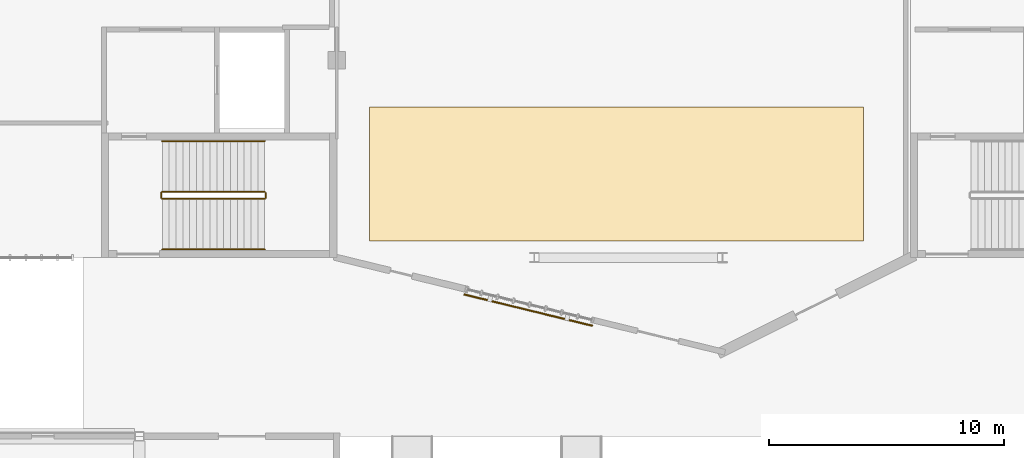
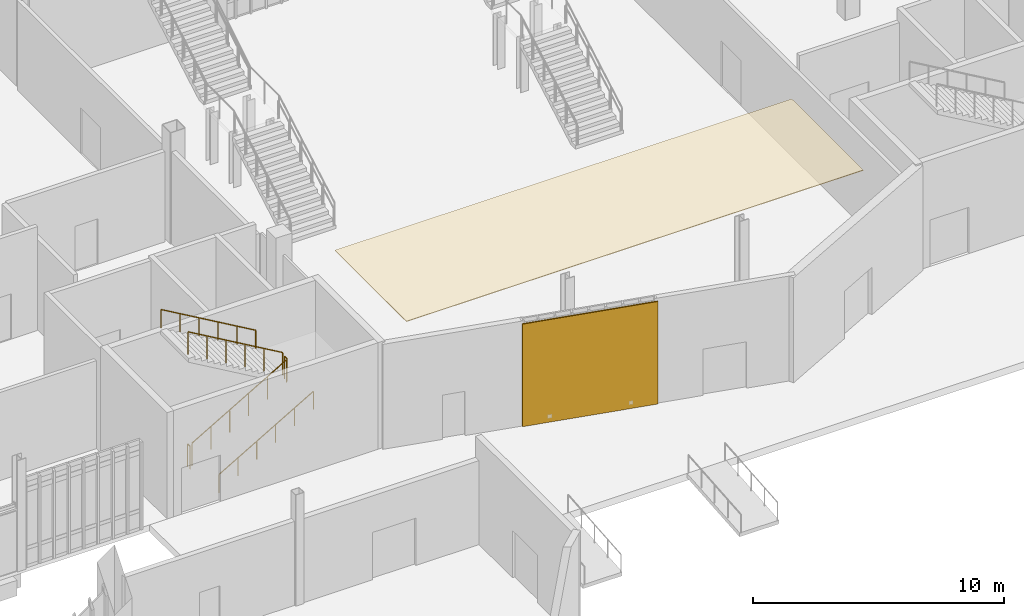
# One storey, part 101 of 111: 6 railings, 1 covering, 1 shading device.
"""IFC4 building model written with IfcOpenShell, lengths in metres."""

import ifcopenshell
import ifcopenshell.guid

model = None  # the IFC model being written
_history = None  # IfcOwnerHistory: only IFC2X3 demands one
_inside = {}  # id of a spatial element -> (the spatial element, [elements in it])
_under = {}  # id of a project, library or spatial element -> (it, [spatial elements below it])
_declared = {}  # id of a project -> (the project, [libraries it declares])
_typed = {}  # id of a type object -> (the type object, [elements of that type])
_made_of = {}  # id of a material, layer set ... -> (it, [elements and type objects made of it])


def new_model(schema):
    """Start an empty IFC model of exactly this schema.

    Asked for "IFC4X3", IfcOpenShell would pick the latest addendum, in which some entities
    have other attributes; the version numbers below select the first issue.
    IFC2X3 requires an IfcOwnerHistory on every rooted entity: one is made here for all.
    """
    global model, _history
    if schema == "IFC4X3":
        model = ifcopenshell.file(schema_version=(4, 3, 0, 0))
    else:
        model = ifcopenshell.file(schema=schema)
    _inside.clear()
    _under.clear()
    _declared.clear()
    _typed.clear()
    _made_of.clear()
    _history = None
    if model.schema == "IFC2X3":
        org = make("IfcOrganization", Name="unknown")
        user = make(
            "IfcPersonAndOrganization",
            ThePerson=make("IfcPerson", FamilyName="unknown"),
            TheOrganization=org,
        )
        app = make(
            "IfcApplication",
            ApplicationDeveloper=org,
            Version="unknown",
            ApplicationFullName="unknown",
            ApplicationIdentifier="unknown",
        )
        _history = make(
            "IfcOwnerHistory",
            OwningUser=user,
            OwningApplication=app,
            ChangeAction="ADDED",
            CreationDate=0,
        )
    return model


def make(cls, **values):
    """One entity of the class cls with the attributes given. An attribute that is None is left unset."""
    return model.create_entity(
        cls, **{name: value for name, value in values.items() if value is not None}
    )


def rooted(cls, **values):
    """An entity with a GlobalId (a new one), such as an element, a storey or a relation."""
    return make(cls, GlobalId=ifcopenshell.guid.new(), OwnerHistory=_history, **values)


def si_unit(unit_type, name, prefix=None):
    """IfcSIUnit, for example si_unit("LENGTHUNIT", "METRE", prefix="MILLI")."""
    return make("IfcSIUnit", UnitType=unit_type, Prefix=prefix, Name=name)


def assignment(units):
    """IfcUnitAssignment: the units of a project."""
    return None if units is None else make("IfcUnitAssignment", Units=units)


def point(xyz):
    """IfcCartesianPoint."""
    return None if xyz is None else make("IfcCartesianPoint", Coordinates=xyz)


def direction(xyz):
    """IfcDirection."""
    return None if xyz is None else make("IfcDirection", DirectionRatios=xyz)


def frame(location, z_axis=None, x_axis=None):
    """IfcAxis2Placement3D, a coordinate frame: its origin and axes. An axis left out is left unset."""
    return make(
        "IfcAxis2Placement3D",
        Location=point(location),
        Axis=direction(z_axis),
        RefDirection=direction(x_axis),
    )


def frame_2d(location, x_axis=None):
    """IfcAxis2Placement2D, a coordinate frame in the plane: its origin and x axis."""
    return make(
        "IfcAxis2Placement2D", Location=point(location), RefDirection=direction(x_axis)
    )


def origin():
    """The frame at (0, 0, 0) with its axes left unset."""
    return frame((0.0, 0.0, 0.0))


def origin_2d():
    """The frame at (0, 0) in the plane with its x axis left unset."""
    return frame_2d((0.0, 0.0))


def place(relative_to, where):
    """IfcLocalPlacement: puts the frame where relative to a parent placement (None: the world)."""
    return make(
        "IfcLocalPlacement", PlacementRelTo=relative_to, RelativePlacement=where
    )


def context(
    kind, dimensions, precision=None, world=None, true_north=None, identifier=None
):
    """IfcGeometricRepresentationContext, for example the 3D "Model" context."""
    return make(
        "IfcGeometricRepresentationContext",
        ContextIdentifier=identifier,
        ContextType=kind,
        CoordinateSpaceDimension=dimensions,
        Precision=precision,
        WorldCoordinateSystem=world,
        TrueNorth=true_north,
    )


def subcontext(parent, identifier, kind, view, scale=None):
    """IfcGeometricRepresentationSubContext, for example "Body" below "Model"."""
    return make(
        "IfcGeometricRepresentationSubContext",
        ContextIdentifier=identifier,
        ContextType=kind,
        ParentContext=parent,
        TargetScale=scale,
        TargetView=view,
    )


def project(units=None, contexts=None):
    """IfcProject with its units and contexts."""
    return rooted(
        "IfcProject",
        Name="project",
        RepresentationContexts=contexts,
        UnitsInContext=assignment(units),
    )


def spatial(cls, under=None, at=None, **own):
    """A site, building, storey or space (cls), placed at a placement, below another one or the project."""
    s = rooted(cls, ObjectPlacement=at, **own)
    if under is not None:
        _under.setdefault(under.id(), (under, []))[1].append(s)
    return s


def polyline(points):
    """IfcPolyline through the points."""
    return make("IfcPolyline", Points=[point(p) for p in points])


def profile(cls, at=None, kind="AREA", **sizes):
    """A parametric profile (cls). Its sizes go by their IFC names, for example OverallWidth=200.0."""
    return make(cls, ProfileType=kind, Position=at, **sizes)


def rectangle(**sizes):
    """IfcRectangleProfileDef."""
    return profile("IfcRectangleProfileDef", **sizes)


def circle(**sizes):
    """IfcCircleProfileDef."""
    return profile("IfcCircleProfileDef", **sizes)


def outline(outer, holes=None, kind="AREA"):
    """IfcArbitraryClosedProfileDef: a profile drawn as a closed curve; with holes, ...WithVoids."""
    if holes is None:
        return make("IfcArbitraryClosedProfileDef", ProfileType=kind, OuterCurve=outer)
    return make(
        "IfcArbitraryProfileDefWithVoids",
        ProfileType=kind,
        OuterCurve=outer,
        InnerCurves=holes,
    )


def extrude(swept, where, along, depth):
    """IfcExtrudedAreaSolid: the profile swept, set in the frame where, extruded along a direction by depth."""
    return make(
        "IfcExtrudedAreaSolid",
        SweptArea=swept,
        Position=where,
        ExtrudedDirection=direction(along),
        Depth=depth,
    )


def shape(context_of_items, identifier, shape_type, items):
    """IfcShapeRepresentation: the items that make up one representation, for example the "Body"."""
    return make(
        "IfcShapeRepresentation",
        ContextOfItems=context_of_items,
        RepresentationIdentifier=identifier,
        RepresentationType=shape_type,
        Items=items,
    )


def material(Name=None, Category=None):
    """IfcMaterial."""
    return make("IfcMaterial", Name=Name, Category=Category)


def layer(
    of_material, thickness, ventilated=None, Name=None, Category=None, Priority=None
):
    """IfcMaterialLayer: one layer of a wall or slab, of a material (None: an air gap)."""
    return make(
        "IfcMaterialLayer",
        Material=of_material,
        LayerThickness=thickness,
        IsVentilated=ventilated,
        Name=Name,
        Category=Category,
        Priority=Priority,
    )


def layer_set(layers, Name=None):
    """IfcMaterialLayerSet."""
    return make("IfcMaterialLayerSet", MaterialLayers=layers, LayerSetName=Name)


def made_of(thing, what):
    """Note that an element or type object is made of a material, layer set ...; save() writes the relation."""
    if what is not None:
        _made_of.setdefault(what.id(), (what, []))[1].append(thing)
    return thing


def type_object(cls, material=None, **own):
    """A type object (cls), such as IfcWallType, which elements share."""
    return made_of(rooted(cls, **own), material)


def element(
    cls,
    number,
    at=None,
    inside=None,
    cuts=None,
    type_object=None,
    material=None,
    context=None,
    identifier="Body",
    shape_type=None,
    held_by="IfcProductDefinitionShape",
    body=None,
    shapes=None,
    **own,
):
    """One element of the class cls, such as IfcWall. Its Tag is "e" and its number.

    at: its placement. inside: the storey or other place that contains it. cuts: it is an
    opening in that element (IfcRelVoidsElement). A single representation is given by context,
    identifier, shape_type and body (its items); several are given by shapes. held_by: the class
    of the entity that holds the representations. save() writes the other relations.
    """
    e = rooted(cls, Tag="e%d" % number, ObjectPlacement=at, **own)
    if body is not None:
        shapes = [shape(context, identifier, shape_type, body)]
    if shapes is not None:
        e.Representation = make(held_by, Representations=shapes)
    if inside is not None:
        _inside.setdefault(inside.id(), (inside, []))[1].append(e)
    if cuts is not None:
        rooted(
            "IfcRelVoidsElement", RelatingBuildingElement=cuts, RelatedOpeningElement=e
        )
    if type_object is not None:
        _typed.setdefault(type_object.id(), (type_object, []))[1].append(e)
    return made_of(e, material)


def aggregate(whole, parts):
    """IfcRelAggregates: a whole, such as a stair, and the parts it consists of."""
    return rooted("IfcRelAggregates", RelatingObject=whole, RelatedObjects=parts)


def save(model, path):
    """Write the relations noted so far, then the file.

    IfcRelAggregates (storeys below a building ...), IfcRelContainedInSpatialStructure (elements
    in a storey), IfcRelDefinesByType, IfcRelAssociatesMaterial and IfcRelDeclares: one each for
    every whole, place, type object, material and project.
    """
    for whole, parts in _under.values():
        aggregate(whole, parts)
    for where, things in _inside.values():
        rooted(
            "IfcRelContainedInSpatialStructure",
            RelatedElements=things,
            RelatingStructure=where,
        )
    for kind, things in _typed.values():
        rooted("IfcRelDefinesByType", RelatedObjects=things, RelatingType=kind)
    for what, things in _made_of.values():
        rooted("IfcRelAssociatesMaterial", RelatedObjects=things, RelatingMaterial=what)
    for by, libraries in _declared.values():
        rooted("IfcRelDeclares", RelatingContext=by, RelatedDefinitions=libraries)
    model.write(path)


model = new_model("IFC4")

# Units and contexts
model_context = context("Model", 3, precision=1e-05, world=origin(), true_north=direction((0.0, 1.0)))
body_context = subcontext(model_context, "Body", "Model", "MODEL_VIEW")
ifc_project = project(units=[si_unit("LENGTHUNIT", "METRE"), si_unit("AREAUNIT", "SQUARE_METRE"), si_unit("VOLUMEUNIT", "CUBIC_METRE"), si_unit("PLANEANGLEUNIT", "RADIAN"), si_unit("MASSUNIT", "GRAM", prefix="KILO")], contexts=[model_context])

# Site, building, storey
site_placement = place(None, origin())
site = spatial("IfcSite", under=ifc_project, at=site_placement, CompositionType="ELEMENT")
building_placement = place(site_placement, origin())
building = spatial("IfcBuilding", under=site, at=building_placement, Name="Larkvane Passage Sports Hall", CompositionType="ELEMENT")
storey_placement = place(building_placement, origin())
storey = spatial("IfcBuildingStorey", under=building, at=storey_placement, Name="L00", CompositionType="ELEMENT", Elevation=0.0)

# Covering
ifc_material_1 = material(Name="Perforated mineral-wool acoustic baffle")
ifc_layer_1 = layer(ifc_material_1, 0.030029296875)
ifc_layer_set_1 = layer_set([ifc_layer_1], Name="Perforated mineral-wool acoustic baffle")
covering_type = type_object("IfcCoveringType", Name="COV-CEIL-ACOUST", PredefinedType="CEILING", material=ifc_layer_set_1)
covering_placement = place(storey_placement, frame((0.0, 0.0, 5.162109375)))
element("IfcCovering", 1, at=covering_placement, inside=storey, type_object=covering_type, Name="Acoustic ceiling baffle COV-CEIL-L00-FOY", PredefinedType="CEILING", context=body_context, shape_type="SweptSolid", body=[
    extrude(outline(polyline([(95.0, 23.5), (116.0, 23.5), (116.0, 29.199951171875), (95.0, 29.199951171875), (95.0, 23.5)])), origin(), (0.0, 0.0, 1.0), 0.02978515625),
])

# Railings
ifc_material_2 = material(Name="Steel S355JR", Category="steel")
railing_type_1 = type_object("IfcRailingType", Name="RL-GUARD-1120", PredefinedType="GUARDRAIL", material=ifc_material_2)
railing_1_placement = place(storey_placement, frame((86.179931640625, 25.300048828125, 0.168701171875)))
element("IfcRailing", 2, at=railing_1_placement, inside=storey, type_object=railing_type_1, Name="L00 ST-04 stair guard 1", PredefinedType="GUARDRAIL", context=body_context, shape_type="SweptSolid", body=[
    extrude(circle(Radius=0.02392578125, at=origin_2d()), frame((0.001708984375, 0.0, 1.09716796875), z_axis=(0.864323800911, 0.0, 0.50293574856), x_axis=(0.0, 1.0, 0.0)), (0.0, 0.0, 1.0), 5.029052734375),
    extrude(circle(Radius=0.02099609375, at=origin_2d()), origin(), (0.0, 0.0, 1.0), 1.072021484375),
    extrude(circle(Radius=0.02099609375, at=origin_2d()), frame((0.8701171875, 0.0, 0.50634765625)), (0.0, 0.0, 1.0), 1.072021484375),
    extrude(circle(Radius=0.02099609375, at=origin_2d()), frame((1.739990234375, 0.0, 1.012451171875)), (0.0, 0.0, 1.0), 1.072021484375),
    extrude(circle(Radius=0.02099609375, at=origin_2d()), frame((2.610107421875, 0.0, 1.518798828125)), (0.0, 0.0, 1.0), 1.072021484375),
    extrude(circle(Radius=0.02099609375, at=origin_2d()), frame((3.47998046875, 0.0, 2.02490234375)), (0.0, 0.0, 1.0), 1.072021484375),
    extrude(circle(Radius=0.02099609375, at=origin_2d()), frame((4.35009765625, 0.0, 2.53125)), (0.0, 0.0, 1.0), 1.072021484375),
])
railing_2_placement = place(storey_placement, frame((90.580078125, 25.35009765625, 2.699951171875)))
element("IfcRailing", 3, at=railing_2_placement, inside=storey, type_object=railing_type_1, Name="L00 ST-04 stair guard 2", PredefinedType="GUARDRAIL", context=body_context, shape_type="SweptSolid", body=[
    extrude(circle(Radius=0.02392578125, at=origin_2d()), frame((0.0, 0.001953125, 1.09619140625), z_axis=(0.0, 1.0, 0.0), x_axis=(-1.0, 0.0, 0.0)), (0.0, 0.0, 1.0), 0.196044921875),
    extrude(circle(Radius=0.02099609375, at=origin_2d()), origin(), (0.0, 0.0, 1.0), 1.072021484375),
    extrude(circle(Radius=0.02099609375, at=origin_2d()), frame((0.0, 0.199951171875, 0.0)), (0.0, 0.0, 1.0), 1.072021484375),
])
railing_3_placement = place(storey_placement, frame((90.530029296875, 25.60009765625, 2.86865234375)))
element("IfcRailing", 4, at=railing_3_placement, inside=storey, type_object=railing_type_1, Name="L00 ST-04 stair guard 3", PredefinedType="GUARDRAIL", context=body_context, shape_type="SweptSolid", body=[
    extrude(circle(Radius=0.02392578125, at=origin_2d()), frame((-0.001708984375, 0.0, 1.09716796875), z_axis=(-0.864323800911, 0.0, 0.50293574856), x_axis=(0.0, -1.0, 0.0)), (0.0, 0.0, 1.0), 5.029052734375),
    extrude(circle(Radius=0.02099609375, at=origin_2d()), origin(), (0.0, 0.0, 1.0), 1.072021484375),
    extrude(circle(Radius=0.02099609375, at=origin_2d()), frame((-0.8701171875, 0.0, 0.50634765625)), (0.0, 0.0, 1.0), 1.072021484375),
    extrude(circle(Radius=0.02099609375, at=origin_2d()), frame((-1.739990234375, 0.0, 1.012451171875)), (0.0, 0.0, 1.0), 1.072021484375),
    extrude(circle(Radius=0.02099609375, at=origin_2d()), frame((-2.610107421875, 0.0, 1.518798828125)), (0.0, 0.0, 1.0), 1.072021484375),
    extrude(circle(Radius=0.02099609375, at=origin_2d()), frame((-3.47998046875, 0.0, 2.02490234375)), (0.0, 0.0, 1.0), 1.072021484375),
    extrude(circle(Radius=0.02099609375, at=origin_2d()), frame((-4.35009765625, 0.0, 2.53125)), (0.0, 0.0, 1.0), 1.072021484375),
])
railing_4_placement = place(storey_placement, frame((86.1298828125, 25.35009765625, 0.0)))
element("IfcRailing", 5, at=railing_4_placement, inside=storey, type_object=railing_type_1, Name="L00 ST-04 stair guard 4", PredefinedType="GUARDRAIL", context=body_context, shape_type="SweptSolid", body=[
    extrude(circle(Radius=0.02392578125, at=origin_2d()), frame((0.0, 0.001953125, 1.09619140625), z_axis=(0.0, 1.0, 0.0), x_axis=(-1.0, 0.0, 0.0)), (0.0, 0.0, 1.0), 0.196044921875),
    extrude(circle(Radius=0.02099609375, at=origin_2d()), origin(), (0.0, 0.0, 1.0), 1.072021484375),
    extrude(circle(Radius=0.02099609375, at=origin_2d()), frame((0.0, 0.199951171875, 0.0)), (0.0, 0.0, 1.0), 1.072021484375),
])
ifc_material_3 = material(Name="Stainless steel S355JR", Category="steel")
railing_type_2 = type_object("IfcRailingType", Name="RL-HAND-920", PredefinedType="HANDRAIL", material=ifc_material_3)
railing_5_placement = place(storey_placement, frame((86.179931640625, 23.14990234375, 0.168701171875)))
element("IfcRailing", 6, at=railing_5_placement, inside=storey, type_object=railing_type_2, Name="L00 ST-04 stair handrail 1", PredefinedType="HANDRAIL", context=body_context, shape_type="SweptSolid", body=[
    extrude(circle(Radius=0.02392578125, at=origin_2d()), frame((0.001708984375, 0.0, 0.876953125), z_axis=(0.864323800911, 0.0, 0.50293574856), x_axis=(0.0, 1.0, 0.0)), (0.0, 0.0, 1.0), 5.029052734375),
    extrude(circle(Radius=0.02099609375, at=origin_2d()), origin(), (0.0, 0.0, 1.0), 0.851806640625),
    extrude(circle(Radius=0.02099609375, at=origin_2d()), frame((0.8701171875, 0.0, 0.50634765625)), (0.0, 0.0, 1.0), 0.851806640625),
    extrude(circle(Radius=0.02099609375, at=origin_2d()), frame((1.739990234375, 0.0, 1.012451171875)), (0.0, 0.0, 1.0), 0.851806640625),
    extrude(circle(Radius=0.02099609375, at=origin_2d()), frame((2.610107421875, 0.0, 1.518798828125)), (0.0, 0.0, 1.0), 0.851806640625),
    extrude(circle(Radius=0.02099609375, at=origin_2d()), frame((3.47998046875, 0.0, 2.02490234375)), (0.0, 0.0, 1.0), 0.851806640625),
    extrude(circle(Radius=0.02099609375, at=origin_2d()), frame((4.35009765625, 0.0, 2.53125)), (0.0, 0.0, 1.0), 0.851806640625),
])
railing_6_placement = place(storey_placement, frame((90.530029296875, 27.75, 2.86865234375)))
element("IfcRailing", 7, at=railing_6_placement, inside=storey, type_object=railing_type_2, Name="L00 ST-04 stair handrail 2", PredefinedType="HANDRAIL", context=body_context, shape_type="SweptSolid", body=[
    extrude(circle(Radius=0.02392578125, at=origin_2d()), frame((-0.001708984375, 0.0, 0.876953125), z_axis=(-0.864323800911, 0.0, 0.50293574856), x_axis=(0.0, -1.0, 0.0)), (0.0, 0.0, 1.0), 5.029052734375),
    extrude(circle(Radius=0.02099609375, at=origin_2d()), origin(), (0.0, 0.0, 1.0), 0.851806640625),
    extrude(circle(Radius=0.02099609375, at=origin_2d()), frame((-0.8701171875, 0.0, 0.50634765625)), (0.0, 0.0, 1.0), 0.851806640625),
    extrude(circle(Radius=0.02099609375, at=origin_2d()), frame((-1.739990234375, 0.0, 1.012451171875)), (0.0, 0.0, 1.0), 0.851806640625),
    extrude(circle(Radius=0.02099609375, at=origin_2d()), frame((-2.610107421875, 0.0, 1.518798828125)), (0.0, 0.0, 1.0), 0.851806640625),
    extrude(circle(Radius=0.02099609375, at=origin_2d()), frame((-3.47998046875, 0.0, 2.02490234375)), (0.0, 0.0, 1.0), 0.851806640625),
    extrude(circle(Radius=0.02099609375, at=origin_2d()), frame((-4.35009765625, 0.0, 2.53125)), (0.0, 0.0, 1.0), 0.851806640625),
])

# Shading device
ifc_material_4 = material(Name="Perforated anodised aluminium 5052-H32", Category="aluminium")
ifc_layer_2 = layer(ifc_material_4, 0.06005859375)
ifc_layer_set_2 = layer_set([ifc_layer_2], Name="Perforated anodised aluminium 5052-H32")
shading_device_type = type_object("IfcShadingDeviceType", Name="SHD-VEIL-PERF", PredefinedType="SHUTTER", material=ifc_layer_set_2)
shading_device_placement = place(storey_placement, frame((101.7431640625, 20.56689453125, 0.06005859375), z_axis=(0.0, 0.0, 1.0), x_axis=(-0.971520338783, 0.23695618019, 0.0)))
element("IfcShadingDevice", 8, at=shading_device_placement, inside=storey, type_object=shading_device_type, Name="Solar veil screen L00-017", PredefinedType="SHUTTER", context=body_context, shape_type="SweptSolid", body=[
    extrude(rectangle(XDim=5.626953125, YDim=0.06005859375, at=origin_2d()), origin(), (0.0, 0.0, 1.0), 4.97998046875),
])

save(model, "model.ifc")
